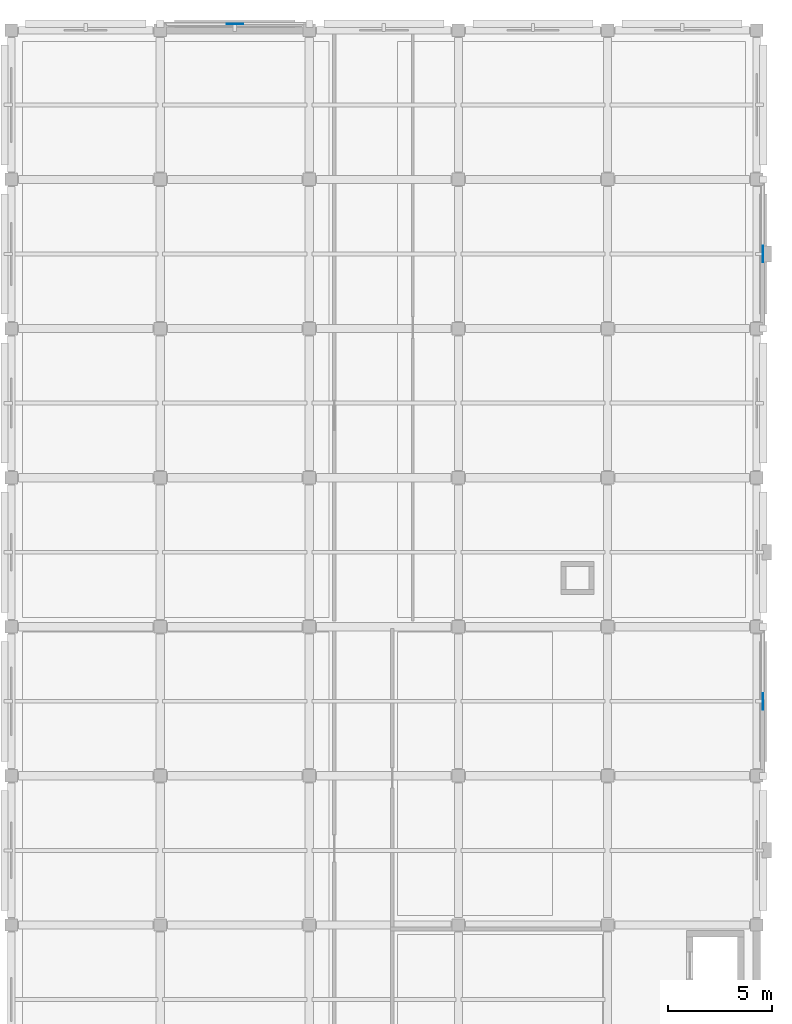
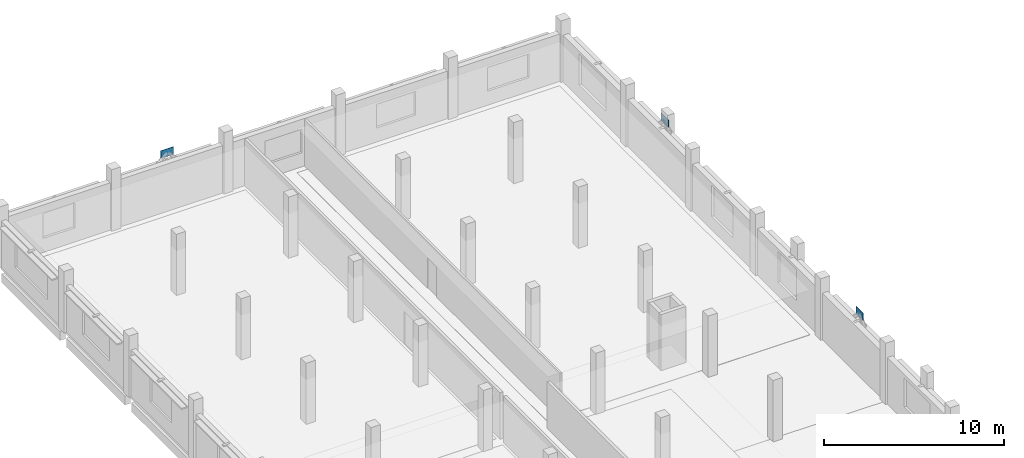
# One storey, part 39 of 62: 3 plates.
"""IFC4 building model written with IfcOpenShell, lengths in metres."""

from ifc_helpers import new_model, si_unit, direction, frame, origin, origin_2d, place, context, subcontext, project, spatial, rectangle, extrude, material, type_object, element, save


model = new_model("IFC4")

# Units and contexts
model_context = context("Model", 3, precision=1e-05, world=origin(), true_north=direction((0.0, 1.0)))
body_context = subcontext(model_context, "Body", "Model", "MODEL_VIEW")
ifc_project = project(units=[si_unit("LENGTHUNIT", "METRE"), si_unit("AREAUNIT", "SQUARE_METRE"), si_unit("VOLUMEUNIT", "CUBIC_METRE"), si_unit("PLANEANGLEUNIT", "RADIAN"), si_unit("MASSUNIT", "GRAM", prefix="KILO")], contexts=[model_context])

# Site, building, storey
site_placement = place(None, origin())
site = spatial("IfcSite", under=ifc_project, at=site_placement, CompositionType="ELEMENT")
building_placement = place(site_placement, origin())
building = spatial("IfcBuilding", under=site, at=building_placement, Name="Valkovuoma Quantum and Materials Research Institute", CompositionType="ELEMENT")
storey_placement = place(building_placement, frame((0.0, 0.0, 13.1201171875)))
storey = spatial("IfcBuildingStorey", under=building, at=storey_placement, Name="L03", CompositionType="ELEMENT", Elevation=13.1201171875)

# Plates
ifc_material = material(Name="Steel S355J2", Category="steel")
plate_type = type_object("IfcPlateType", Name="Plate-PL-SHT3", PredefinedType="SHEET", material=ifc_material)
for number, where, z_axis, x_axis, name in (
    (1, (165.89990234375, 82.800048828125, 3.349853515625), (0.0, 0.0, 1.0), (0.0, 1.0, 0.0), "L03 chevron node sheet plate 11"),
    (2, (165.89990234375, 104.39990234375, 3.349853515625), (0.0, 0.0, 1.0), (0.0, 1.0, 0.0), "L03 chevron node sheet plate 17"),
    (3, (140.39990234375, 115.5, 3.349853515625), (0.0, 0.0, 1.0), (1.0, 0.0, 0.0), "L03 chevron node sheet plate 23"),
):
    element("IfcPlate", number, at=place(storey_placement, frame(where, z_axis=z_axis, x_axis=x_axis)), inside=storey, type_object=plate_type, Name=name, PredefinedType="SHEET", context=body_context, shape_type="SweptSolid", body=[
        extrude(rectangle(XDim=0.800048828125, YDim=0.02490234375, at=origin_2d()), origin(), (0.0, 0.0, 1.0), 0.52001953125),
    ])

save(model, "model.ifc")
